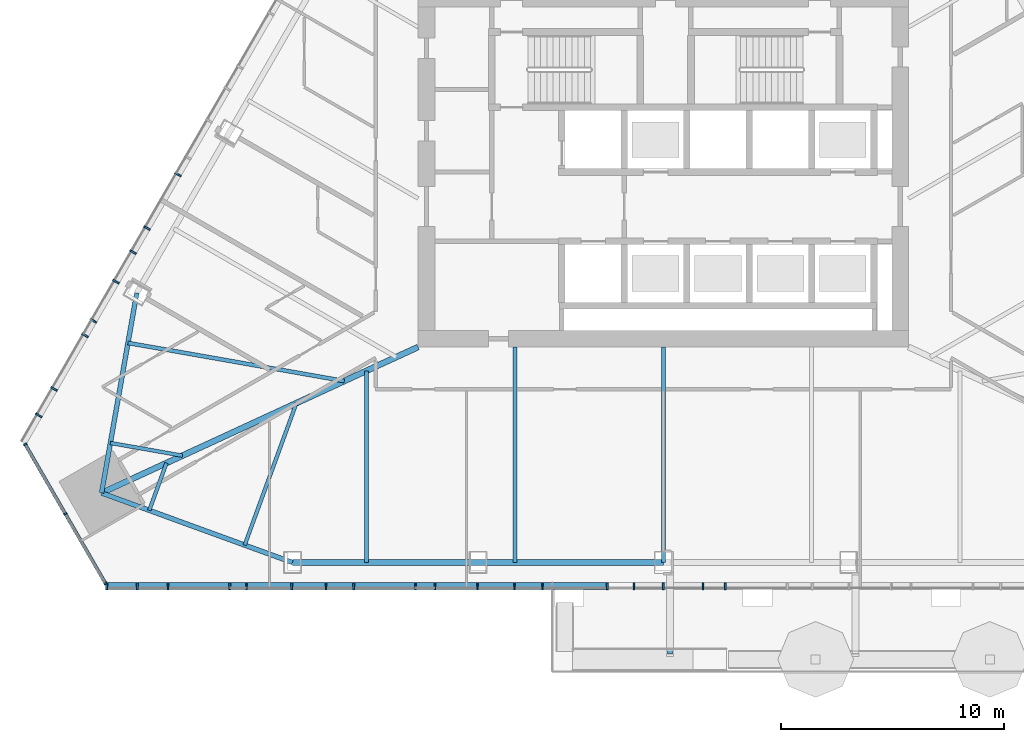
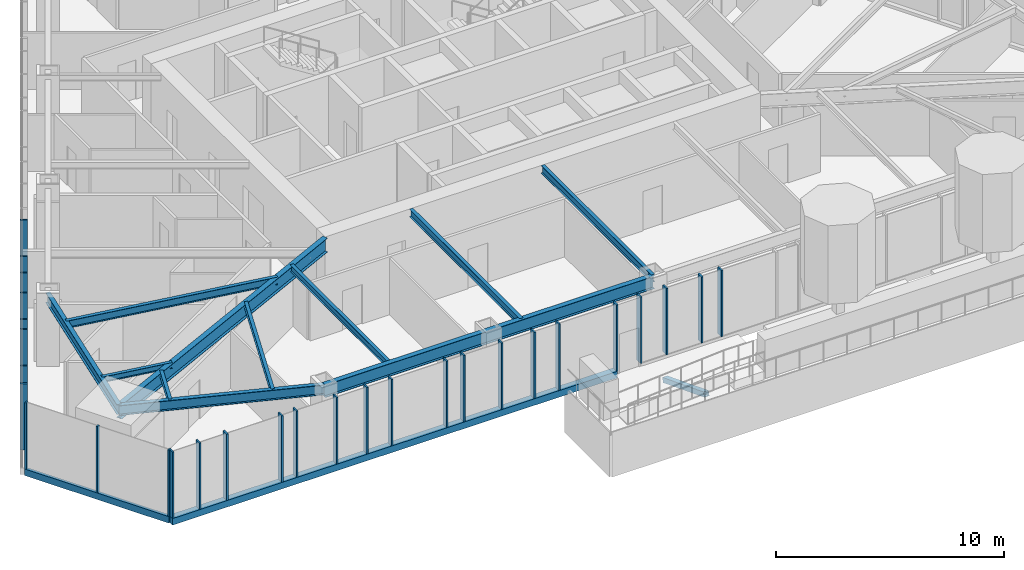
# One storey, part 2 of 18: 32 members, 11 beams, 3 elements without a shape of their own.
"""IFC4 building model written with IfcOpenShell, lengths in metres."""

from ifc_helpers import new_model, si_unit, direction, frame, origin, origin_2d, place, context, subcontext, project, spatial, rectangle, hollow_rectangle, i_section, extrude, material, layer, layer_set, material_profile, profile_set, type_object, element, aggregate, save


model = new_model("IFC4")

# Units and contexts
model_context = context("Model", 3, precision=1e-05, world=origin(), true_north=direction((0.0, 1.0)))
body_context = subcontext(model_context, "Body", "Model", "MODEL_VIEW")
ifc_project = project(units=[si_unit("LENGTHUNIT", "METRE"), si_unit("AREAUNIT", "SQUARE_METRE"), si_unit("VOLUMEUNIT", "CUBIC_METRE"), si_unit("PLANEANGLEUNIT", "RADIAN"), si_unit("MASSUNIT", "GRAM", prefix="KILO")], contexts=[model_context])

# Site, building, storey
site_placement = place(None, origin())
site = spatial("IfcSite", under=ifc_project, at=site_placement, CompositionType="ELEMENT")
building_placement = place(site_placement, origin())
building = spatial("IfcBuilding", under=site, at=building_placement, Name="Firuza Gate Tower and Library", CompositionType="ELEMENT")
storey_placement = place(building_placement, frame((0.0, 0.0, 226.0)))
storey = spatial("IfcBuildingStorey", under=building, at=storey_placement, Name="L53", CompositionType="ELEMENT", Elevation=226.0)

# Curtain wall, members
ifc_material_1 = material(Name="Aluminium 6063-T6", Category="aluminium")
ifc_layer_1 = layer(ifc_material_1, 0.14990234375)
ifc_layer_set_1 = layer_set([ifc_layer_1], Name="Corner curtain wall, chamfers")
curtain_wall_type_1 = type_object("IfcCurtainWallType", Name="Corner curtain wall, chamfers", PredefinedType="NOTDEFINED", material=ifc_layer_set_1)
placement = place(storey_placement, origin())
curtain_wall_1 = element("IfcCurtainWall", 1, at=placement, inside=storey, type_object=curtain_wall_type_1, Name="CW4 L53 SW corner", PredefinedType="NOTDEFINED")
ifc_material_2 = material(Name="Aluminium 6063-T6", Category="aluminium")
ifc_material_profile_1 = material_profile(ifc_material_2, rectangle(XDim=0.14990234375, YDim=0.080078125, at=origin_2d()))
ifc_profile_set_1 = profile_set([ifc_material_profile_1], Name="Aluminium 6063-T6")
member_type_1 = type_object("IfcMemberType", Name="Curtain wall mullion 80x150", PredefinedType="MULLION", material=ifc_profile_set_1)
member_1_placement = place(storey_placement, frame((46.380615234375, 62.63720703125, 0.14990234375), z_axis=(0.0, 0.0, 1.0), x_axis=(0.866025403784, 0.5, 0.0)))
member_1 = element("IfcMember", 2, at=member_1_placement, type_object=member_type_1, Name="Mullion", PredefinedType="MULLION", context=body_context, shape_type="SweptSolid", body=[
    extrude(rectangle(XDim=0.14990234375, YDim=0.080078125, at=origin_2d()), origin(), (0.0, 0.0, 1.0), 3.550048828125),
])
member_2_placement = place(storey_placement, frame((48.182373046875, 59.516845703125, 0.14990234375), z_axis=(0.0, 0.0, 1.0), x_axis=(0.866025403784, 0.5, 0.0)))
member_2 = element("IfcMember", 3, at=member_2_placement, type_object=member_type_1, Name="Mullion", PredefinedType="MULLION", context=body_context, shape_type="SweptSolid", body=[
    extrude(rectangle(XDim=0.14990234375, YDim=0.080078125, at=origin_2d()), origin(), (0.0, 0.0, 1.0), 3.550048828125),
])
member_3_placement = place(storey_placement, frame((49.98388671875, 56.396240234375, 0.14990234375), z_axis=(0.0, 0.0, 1.0), x_axis=(0.866025403784, 0.5, 0.0)))
member_3 = element("IfcMember", 4, at=member_3_placement, type_object=member_type_1, Name="Mullion", PredefinedType="MULLION", context=body_context, shape_type="SweptSolid", body=[
    extrude(rectangle(XDim=0.14990234375, YDim=0.080078125, at=origin_2d()), origin(), (0.0, 0.0, 1.0), 3.550048828125),
])

ifc_material_3 = material(Name="Aluminium 6063-T6", Category="aluminium")
ifc_layer_2 = layer(ifc_material_3, 0.14990234375)
ifc_layer_set_2 = layer_set([ifc_layer_2], Name="Unitised curtain wall, hotel")
curtain_wall_type_2 = type_object("IfcCurtainWallType", Name="Unitised curtain wall, hotel", PredefinedType="NOTDEFINED", material=ifc_layer_set_2)
curtain_wall_2 = element("IfcCurtainWall", 5, at=placement, inside=storey, type_object=curtain_wall_type_2, Name="CW2 L53 S face", PredefinedType="NOTDEFINED")
ifc_material_4 = material(Name="Aluminium 6063-T6", Category="aluminium")
ifc_material_profile_2 = material_profile(ifc_material_4, rectangle(XDim=0.320068359375, YDim=0.080078125, at=origin_2d()))
ifc_profile_set_2 = profile_set([ifc_material_profile_2], Name="Aluminium 6063-T6")
member_type_2 = type_object("IfcMemberType", Name="Curtain wall mullion 80x320", PredefinedType="MULLION", material=ifc_profile_set_2)
member_4_placement = place(storey_placement, frame((50.0439453125, 56.276611328125, 0.14990234375), z_axis=(0.0, 0.0, 1.0), x_axis=(0.0, 1.0, 0.0)))
member_4 = element("IfcMember", 6, at=member_4_placement, type_object=member_type_2, Name="Mullion", PredefinedType="MULLION", context=body_context, shape_type="SweptSolid", body=[
    extrude(rectangle(XDim=0.320068359375, YDim=0.080078125, at=origin_2d()), origin(), (0.0, 0.0, 1.0), 3.550048828125),
])
member_5_placement = place(storey_placement, frame((52.78125, 56.276611328125, 0.14990234375), z_axis=(0.0, 0.0, 1.0), x_axis=(0.0, 1.0, 0.0)))
member_5 = element("IfcMember", 7, at=member_5_placement, type_object=member_type_2, Name="Mullion", PredefinedType="MULLION", context=body_context, shape_type="SweptSolid", body=[
    extrude(rectangle(XDim=0.320068359375, YDim=0.080078125, at=origin_2d()), origin(), (0.0, 0.0, 1.0), 3.550048828125),
])
member_6_placement = place(storey_placement, frame((55.55859375, 56.276611328125, 0.14990234375), z_axis=(0.0, 0.0, 1.0), x_axis=(0.0, 1.0, 0.0)))
member_6 = element("IfcMember", 8, at=member_6_placement, type_object=member_type_2, Name="Mullion", PredefinedType="MULLION", context=body_context, shape_type="SweptSolid", body=[
    extrude(rectangle(XDim=0.320068359375, YDim=0.080078125, at=origin_2d()), origin(), (0.0, 0.0, 1.0), 3.550048828125),
])
member_7_placement = place(storey_placement, frame((58.3359375, 56.276611328125, 0.14990234375), z_axis=(0.0, 0.0, 1.0), x_axis=(0.0, 1.0, 0.0)))
member_7 = element("IfcMember", 9, at=member_7_placement, type_object=member_type_2, Name="Mullion", PredefinedType="MULLION", context=body_context, shape_type="SweptSolid", body=[
    extrude(rectangle(XDim=0.320068359375, YDim=0.080078125, at=origin_2d()), origin(), (0.0, 0.0, 1.0), 3.550048828125),
])
member_8_placement = place(storey_placement, frame((61.11328125, 56.276611328125, 0.14990234375), z_axis=(0.0, 0.0, 1.0), x_axis=(0.0, 1.0, 0.0)))
member_8 = element("IfcMember", 10, at=member_8_placement, type_object=member_type_2, Name="Mullion", PredefinedType="MULLION", context=body_context, shape_type="SweptSolid", body=[
    extrude(rectangle(XDim=0.320068359375, YDim=0.080078125, at=origin_2d()), origin(), (0.0, 0.0, 1.0), 3.550048828125),
])
member_9_placement = place(storey_placement, frame((63.890625, 56.276611328125, 0.14990234375), z_axis=(0.0, 0.0, 1.0), x_axis=(0.0, 1.0, 0.0)))
member_9 = element("IfcMember", 11, at=member_9_placement, type_object=member_type_2, Name="Mullion", PredefinedType="MULLION", context=body_context, shape_type="SweptSolid", body=[
    extrude(rectangle(XDim=0.320068359375, YDim=0.080078125, at=origin_2d()), origin(), (0.0, 0.0, 1.0), 3.550048828125),
])
member_10_placement = place(storey_placement, frame((66.66796875, 56.276611328125, 0.14990234375), z_axis=(0.0, 0.0, 1.0), x_axis=(0.0, 1.0, 0.0)))
member_10 = element("IfcMember", 12, at=member_10_placement, type_object=member_type_2, Name="Mullion", PredefinedType="MULLION", context=body_context, shape_type="SweptSolid", body=[
    extrude(rectangle(XDim=0.320068359375, YDim=0.080078125, at=origin_2d()), origin(), (0.0, 0.0, 1.0), 3.550048828125),
])
member_11_placement = place(storey_placement, frame((69.577880859375, 56.276611328125, 0.14990234375), z_axis=(0.0, 0.0, 1.0), x_axis=(0.0, 1.0, 0.0)))
member_11 = element("IfcMember", 13, at=member_11_placement, type_object=member_type_2, Name="Mullion", PredefinedType="MULLION", context=body_context, shape_type="SweptSolid", body=[
    extrude(rectangle(XDim=0.320068359375, YDim=0.080078125, at=origin_2d()), origin(), (0.0, 0.0, 1.0), 3.550048828125),
])
member_12_placement = place(storey_placement, frame((72.488037109375, 56.276611328125, 0.14990234375), z_axis=(0.0, 0.0, 1.0), x_axis=(0.0, 1.0, 0.0)))
member_12 = element("IfcMember", 14, at=member_12_placement, type_object=member_type_2, Name="Mullion", PredefinedType="MULLION", context=body_context, shape_type="SweptSolid", body=[
    extrude(rectangle(XDim=0.320068359375, YDim=0.080078125, at=origin_2d()), origin(), (0.0, 0.0, 1.0), 3.550048828125),
])
member_13_placement = place(storey_placement, frame((73.68798828125, 56.276611328125, 0.14990234375), z_axis=(0.0, 0.0, 1.0), x_axis=(0.0, 1.0, 0.0)))
member_13 = element("IfcMember", 15, at=member_13_placement, type_object=member_type_2, Name="Mullion", PredefinedType="MULLION", context=body_context, shape_type="SweptSolid", body=[
    extrude(rectangle(XDim=0.320068359375, YDim=0.080078125, at=origin_2d()), origin(), (0.0, 0.0, 1.0), 3.550048828125),
])
member_14_placement = place(storey_placement, frame((75.0, 56.276611328125, 0.14990234375), z_axis=(0.0, 0.0, 1.0), x_axis=(0.0, 1.0, 0.0)))
member_14 = element("IfcMember", 16, at=member_14_placement, type_object=member_type_2, Name="Mullion", PredefinedType="MULLION", context=body_context, shape_type="SweptSolid", body=[
    extrude(rectangle(XDim=0.320068359375, YDim=0.080078125, at=origin_2d()), origin(), (0.0, 0.0, 1.0), 3.550048828125),
])
member_15_placement = place(storey_placement, frame((77.77734375, 56.276611328125, 0.14990234375), z_axis=(0.0, 0.0, 1.0), x_axis=(0.0, 1.0, 0.0)))
member_15 = element("IfcMember", 17, at=member_15_placement, type_object=member_type_2, Name="Mullion", PredefinedType="MULLION", context=body_context, shape_type="SweptSolid", body=[
    extrude(rectangle(XDim=0.320068359375, YDim=0.080078125, at=origin_2d()), origin(), (0.0, 0.0, 1.0), 3.550048828125),
])
member_16_placement = place(storey_placement, frame((51.412109375, 56.276611328125, 0.14990234375), z_axis=(0.0, 0.0, 1.0), x_axis=(0.0, 1.0, 0.0)))
member_16 = element("IfcMember", 18, at=member_16_placement, type_object=member_type_2, Name="Mullion", PredefinedType="MULLION", context=body_context, shape_type="SweptSolid", body=[
    extrude(rectangle(XDim=0.320068359375, YDim=0.080078125, at=origin_2d()), origin(), (0.0, 0.0, 1.0), 3.550048828125),
])
member_17_placement = place(storey_placement, frame((56.3095703125, 56.276611328125, 0.14990234375), z_axis=(0.0, 0.0, 1.0), x_axis=(0.0, 1.0, 0.0)))
member_17 = element("IfcMember", 19, at=member_17_placement, type_object=member_type_2, Name="Mullion", PredefinedType="MULLION", context=body_context, shape_type="SweptSolid", body=[
    extrude(rectangle(XDim=0.320068359375, YDim=0.080078125, at=origin_2d()), origin(), (0.0, 0.0, 1.0), 3.550048828125),
])
member_18_placement = place(storey_placement, frame((59.867919921875, 56.276611328125, 0.14990234375), z_axis=(0.0, 0.0, 1.0), x_axis=(0.0, 1.0, 0.0)))
member_18 = element("IfcMember", 20, at=member_18_placement, type_object=member_type_2, Name="Mullion", PredefinedType="MULLION", context=body_context, shape_type="SweptSolid", body=[
    extrude(rectangle(XDim=0.320068359375, YDim=0.080078125, at=origin_2d()), origin(), (0.0, 0.0, 1.0), 3.550048828125),
])
member_19_placement = place(storey_placement, frame((64.76513671875, 56.276611328125, 0.14990234375), z_axis=(0.0, 0.0, 1.0), x_axis=(0.0, 1.0, 0.0)))
member_19 = element("IfcMember", 21, at=member_19_placement, type_object=member_type_2, Name="Mullion", PredefinedType="MULLION", context=body_context, shape_type="SweptSolid", body=[
    extrude(rectangle(XDim=0.320068359375, YDim=0.080078125, at=origin_2d()), origin(), (0.0, 0.0, 1.0), 3.550048828125),
])
member_20_placement = place(storey_placement, frame((68.323486328125, 56.276611328125, 0.14990234375), z_axis=(0.0, 0.0, 1.0), x_axis=(0.0, 1.0, 0.0)))
member_20 = element("IfcMember", 22, at=member_20_placement, type_object=member_type_2, Name="Mullion", PredefinedType="MULLION", context=body_context, shape_type="SweptSolid", body=[
    extrude(rectangle(XDim=0.320068359375, YDim=0.080078125, at=origin_2d()), origin(), (0.0, 0.0, 1.0), 3.550048828125),
])
member_21_placement = place(storey_placement, frame((76.779296875, 56.276611328125, 0.14990234375), z_axis=(0.0, 0.0, 1.0), x_axis=(0.0, 1.0, 0.0)))
member_21 = element("IfcMember", 23, at=member_21_placement, type_object=member_type_2, Name="Mullion", PredefinedType="MULLION", context=body_context, shape_type="SweptSolid", body=[
    extrude(rectangle(XDim=0.320068359375, YDim=0.080078125, at=origin_2d()), origin(), (0.0, 0.0, 1.0), 3.550048828125),
])

curtain_wall_3 = element("IfcCurtainWall", 24, at=placement, inside=storey, type_object=curtain_wall_type_2, Name="CW2 L53 W face", PredefinedType="NOTDEFINED")
member_22_placement = place(storey_placement, frame((53.23046875, 74.74072265625, 0.14990234375), z_axis=(0.0, 0.0, 1.0), x_axis=(0.866025403784, -0.5, 0.0)))
member_22 = element("IfcMember", 25, at=member_22_placement, type_object=member_type_2, Name="Mullion", PredefinedType="MULLION", context=body_context, shape_type="SweptSolid", body=[
    extrude(rectangle(XDim=0.320068359375, YDim=0.080078125, at=origin_2d()), origin(), (0.0, 0.0, 1.0), 3.550048828125),
])
member_23_placement = place(storey_placement, frame((51.841796875, 72.33544921875, 0.14990234375), z_axis=(0.0, 0.0, 1.0), x_axis=(0.866025403784, -0.5, 0.0)))
member_23 = element("IfcMember", 26, at=member_23_placement, type_object=member_type_2, Name="Mullion", PredefinedType="MULLION", context=body_context, shape_type="SweptSolid", body=[
    extrude(rectangle(XDim=0.320068359375, YDim=0.080078125, at=origin_2d()), origin(), (0.0, 0.0, 1.0), 3.550048828125),
])
member_24_placement = place(storey_placement, frame((50.453125, 69.93017578125, 0.14990234375), z_axis=(0.0, 0.0, 1.0), x_axis=(0.866025403784, -0.5, 0.0)))
member_24 = element("IfcMember", 27, at=member_24_placement, type_object=member_type_2, Name="Mullion", PredefinedType="MULLION", context=body_context, shape_type="SweptSolid", body=[
    extrude(rectangle(XDim=0.320068359375, YDim=0.080078125, at=origin_2d()), origin(), (0.0, 0.0, 1.0), 3.550048828125),
])
member_25_placement = place(storey_placement, frame((49.064453125, 67.52490234375, 0.14990234375), z_axis=(0.0, 0.0, 1.0), x_axis=(0.866025403784, -0.5, 0.0)))
member_25 = element("IfcMember", 28, at=member_25_placement, type_object=member_type_2, Name="Mullion", PredefinedType="MULLION", context=body_context, shape_type="SweptSolid", body=[
    extrude(rectangle(XDim=0.320068359375, YDim=0.080078125, at=origin_2d()), origin(), (0.0, 0.0, 1.0), 3.550048828125),
])
member_26_placement = place(storey_placement, frame((47.67578125, 65.11962890625, 0.14990234375), z_axis=(0.0, 0.0, 1.0), x_axis=(0.866025403784, -0.5, 0.0)))
member_26 = element("IfcMember", 29, at=member_26_placement, type_object=member_type_2, Name="Mullion", PredefinedType="MULLION", context=body_context, shape_type="SweptSolid", body=[
    extrude(rectangle(XDim=0.320068359375, YDim=0.080078125, at=origin_2d()), origin(), (0.0, 0.0, 1.0), 3.550048828125),
])
member_27_placement = place(storey_placement, frame((51.218994140625, 71.2568359375, 0.14990234375), z_axis=(0.0, 0.0, 1.0), x_axis=(0.866025403784, -0.5, 0.0)))
member_27 = element("IfcMember", 30, at=member_27_placement, type_object=member_type_2, Name="Mullion", PredefinedType="MULLION", context=body_context, shape_type="SweptSolid", body=[
    extrude(rectangle(XDim=0.320068359375, YDim=0.080078125, at=origin_2d()), origin(), (0.0, 0.0, 1.0), 3.550048828125),
])
member_28_placement = place(storey_placement, frame((49.439697265625, 68.17529296875, 0.14990234375), z_axis=(0.0, 0.0, 1.0), x_axis=(0.866025403784, -0.5, 0.0)))
member_28 = element("IfcMember", 31, at=member_28_placement, type_object=member_type_2, Name="Mullion", PredefinedType="MULLION", context=body_context, shape_type="SweptSolid", body=[
    extrude(rectangle(XDim=0.320068359375, YDim=0.080078125, at=origin_2d()), origin(), (0.0, 0.0, 1.0), 3.550048828125),
])
member_29_placement = place(storey_placement, frame((46.9912109375, 63.93408203125, 0.14990234375), z_axis=(0.0, 0.0, 1.0), x_axis=(0.866025403784, -0.5, 0.0)))
member_29 = element("IfcMember", 32, at=member_29_placement, type_object=member_type_2, Name="Mullion", PredefinedType="MULLION", context=body_context, shape_type="SweptSolid", body=[
    extrude(rectangle(XDim=0.320068359375, YDim=0.080078125, at=origin_2d()), origin(), (0.0, 0.0, 1.0), 3.550048828125),
])
aggregate(curtain_wall_3, [member_22, member_23, member_24, member_25, member_26, member_27, member_28, member_29])

# Member
ifc_material_5 = material(Name="Aluminium 6063-T6", Category="aluminium")
ifc_material_profile_3 = material_profile(ifc_material_5, rectangle(XDim=0.14990234375, YDim=0.35009765625, at=origin_2d()))
ifc_profile_set_3 = profile_set([ifc_material_profile_3], Name="Aluminium 6063-T6")
member_type_3 = type_object("IfcMemberType", Name="Curtain wall transom 350x150", PredefinedType="USERDEFINED", material=ifc_profile_set_3)
member_30_placement = place(storey_placement, frame((46.360595703125, 62.671875, -0.02490234375), z_axis=(0.500005719219, -0.866022101766, 0.0), x_axis=(0.866022101766, 0.500005719219, 0.0)))
member_30 = element("IfcMember", 33, at=member_30_placement, type_object=member_type_3, Name="Transom", ObjectType="TRANSOM", PredefinedType="USERDEFINED", context=body_context, shape_type="SweptSolid", body=[
    extrude(rectangle(XDim=0.14990234375, YDim=0.35009765625, at=origin_2d()), origin(), (0.0, 0.0, 1.0), 7.28662109375),
])

aggregate(curtain_wall_1, [member_1, member_2, member_3, member_30])

ifc_material_6 = material(Name="Aluminium 6063-T6", Category="aluminium")
ifc_material_profile_4 = material_profile(ifc_material_6, rectangle(XDim=0.320068359375, YDim=0.35009765625, at=origin_2d()))
ifc_profile_set_4 = profile_set([ifc_material_profile_4], Name="Aluminium 6063-T6")
member_type_4 = type_object("IfcMemberType", Name="Curtain wall transom 350x320", PredefinedType="USERDEFINED", material=ifc_profile_set_4)
member_31_placement = place(storey_placement, frame((50.00390625, 56.276611328125, -0.02490234375), z_axis=(1.0, 0.0, 0.0), x_axis=(0.0, 1.0, 0.0)))
member_31 = element("IfcMember", 34, at=member_31_placement, type_object=member_type_4, Name="Transom", ObjectType="TRANSOM", PredefinedType="USERDEFINED", context=body_context, shape_type="SweptSolid", body=[
    extrude(rectangle(XDim=0.320068359375, YDim=0.35009765625, at=origin_2d()), origin(), (0.0, 0.0, 1.0), 22.484130859375),
])

aggregate(curtain_wall_2, [member_4, member_5, member_6, member_7, member_8, member_9, member_10, member_11, member_12, member_13, member_14, member_15, member_31, member_16, member_17, member_18, member_19, member_20, member_21])

ifc_material_7 = material(Name="Steel S355", Category="steel")
ifc_material_profile_5 = material_profile(ifc_material_7, hollow_rectangle(XDim=0.25390625, YDim=0.25390625, WallThickness=0.01171875, at=origin_2d()))
ifc_profile_set_5 = profile_set([ifc_material_profile_5], Name="Steel S355")
member_type_5 = type_object("IfcMemberType", Name="HSS254x254x13 Tray strut", PredefinedType="BRACE", material=ifc_profile_set_5)
member_32_placement = place(storey_placement, frame((75.300048828125, 56.801513671875, -1.669921875), z_axis=(0.0, -0.932008230148, 0.36243711032), x_axis=(1.0, 0.0, 0.0)))
element("IfcMember", 35, at=member_32_placement, inside=storey, type_object=member_type_5, Name="Tray strut L53 col:L52:S3", PredefinedType="BRACE", context=body_context, shape_type="SweptSolid", body=[
    extrude(hollow_rectangle(XDim=0.25390625, YDim=0.25390625, WallThickness=0.01171875, at=origin_2d()), origin(), (0.0, 0.0, 1.0), 3.862548828125),
])

# Beams
ifc_material_8 = material(Name="Steel S355", Category="steel")
ifc_material_profile_6 = material_profile(ifc_material_8, i_section(OverallWidth=0.1650390625, OverallDepth=0.31005859375, WebThickness=0.005859375, FlangeThickness=0.009765625, at=origin_2d()))
ifc_profile_set_6 = profile_set([ifc_material_profile_6], Name="Steel S355")
beam_type_1 = type_object("IfcBeamType", Name="W310x39 Floor beam", PredefinedType="JOIST", material=ifc_profile_set_6)
beam_1_placement = place(storey_placement, frame((50.200927734375, 62.697021484375, 3.544921875), z_axis=(0.984853837144, -0.173386618467, 0.0), x_axis=(0.173386618467, 0.984853837144, 0.0)))
element("IfcBeam", 36, at=beam_1_placement, inside=storey, type_object=beam_type_1, Name="Floor beam L53 s01", PredefinedType="JOIST", context=body_context, shape_type="SweptSolid", body=[
    extrude(i_section(OverallWidth=0.1650390625, OverallDepth=0.31005859375, WebThickness=0.005859375, FlangeThickness=0.009765625, at=origin_2d()), origin(), (0.0, 0.0, 1.0), 3.28369140625),
])
beam_2_placement = place(storey_placement, frame((51.94580078125, 59.6748046875, 3.544921875), z_axis=(0.342237584448, 0.939613450197, 0.0), x_axis=(-0.939613450197, 0.342237584448, 0.0)))
element("IfcBeam", 37, at=beam_2_placement, inside=storey, type_object=beam_type_1, Name="Floor beam L53 s10", PredefinedType="JOIST", context=body_context, shape_type="SweptSolid", body=[
    extrude(i_section(OverallWidth=0.1650390625, OverallDepth=0.31005859375, WebThickness=0.005859375, FlangeThickness=0.009765625, at=origin_2d()), origin(), (0.0, 0.0, 1.0), 2.25927734375),
])
beam_3_placement = place(storey_placement, frame((56.22509765625, 58.115966796875, 3.544921875), z_axis=(0.342269386036, 0.939601866422, 0.0), x_axis=(-0.939601866422, 0.342269386036, 0.0)))
element("IfcBeam", 38, at=beam_3_placement, inside=storey, type_object=beam_type_1, Name="Floor beam L53 s11", PredefinedType="JOIST", context=body_context, shape_type="SweptSolid", body=[
    extrude(i_section(OverallWidth=0.1650390625, OverallDepth=0.31005859375, WebThickness=0.005859375, FlangeThickness=0.009765625, at=origin_2d()), origin(), (0.0, 0.0, 1.0), 6.77783203125),
])
ifc_material_9 = material(Name="Steel S355", Category="steel")
ifc_material_profile_7 = material_profile(ifc_material_9, i_section(OverallWidth=0.1708984375, OverallDepth=0.35498046875, WebThickness=0.007080078125, FlangeThickness=0.01171875, at=origin_2d()))
ifc_profile_set_7 = profile_set([ifc_material_profile_7], Name="Steel S355")
beam_type_2 = type_object("IfcBeamType", Name="W360x51 Floor beam", PredefinedType="JOIST", material=ifc_profile_set_7)
beam_4_placement = place(storey_placement, frame((61.69189453125, 57.336669921875, 3.5224609375), z_axis=(0.0, 1.0, 0.0), x_axis=(-1.0, 0.0, 0.0)))
element("IfcBeam", 39, at=beam_4_placement, inside=storey, type_object=beam_type_2, Name="Floor beam L53 s20", PredefinedType="JOIST", context=body_context, shape_type="SweptSolid", body=[
    extrude(i_section(OverallWidth=0.1708984375, OverallDepth=0.35498046875, WebThickness=0.007080078125, FlangeThickness=0.01171875, at=origin_2d()), origin(), (0.0, 0.0, 1.0), 8.598876953125),
])
ifc_material_10 = material(Name="Steel S355", Category="steel")
ifc_material_profile_8 = material_profile(ifc_material_10, i_section(OverallWidth=0.177978515625, OverallDepth=0.406982421875, WebThickness=0.0078125, FlangeThickness=0.0126953125, at=origin_2d()))
ifc_profile_set_8 = profile_set([ifc_material_profile_8], Name="Steel S355")
beam_type_3 = type_object("IfcBeamType", Name="W410x60 Floor beam", PredefinedType="JOIST", material=ifc_profile_set_8)
beam_5_placement = place(storey_placement, frame((50.990478515625, 67.182373046875, 3.49658203125), z_axis=(0.984858068941, -0.173362579703, 0.0), x_axis=(0.173362579703, 0.984858068941, 0.0)))
element("IfcBeam", 40, at=beam_5_placement, inside=storey, type_object=beam_type_3, Name="Floor beam L53 s00", PredefinedType="JOIST", context=body_context, shape_type="SweptSolid", body=[
    extrude(i_section(OverallWidth=0.177978515625, OverallDepth=0.406982421875, WebThickness=0.0078125, FlangeThickness=0.0126953125, at=origin_2d()), origin(), (0.0, 0.0, 1.0), 9.850830078125),
])
for number, where, z_axis, x_axis, name in (
    (41, (68.345947265625, 57.336669921875, 3.49658203125), (0.0, 1.0, 0.0), (-1.0, 0.0, 0.0), "Floor beam L53 s21"),
    (42, (75.0, 57.336669921875, 3.49658203125), (0.0, 1.0, 0.0), (-1.0, 0.0, 0.0), "Floor beam L53 s22"),
):
    element("IfcBeam", number, at=place(storey_placement, frame(where, z_axis=z_axis, x_axis=x_axis)), inside=storey, type_object=beam_type_3, Name=name, PredefinedType="JOIST", context=body_context, shape_type="SweptSolid", body=[
        extrude(i_section(OverallWidth=0.177978515625, OverallDepth=0.406982421875, WebThickness=0.0078125, FlangeThickness=0.0126953125, at=origin_2d()), origin(), (0.0, 0.0, 1.0), 9.663330078125),
    ])
ifc_material_11 = material(Name="Steel S355", Category="steel")
ifc_material_profile_9 = material_profile(ifc_material_11, i_section(OverallWidth=0.212890625, OverallDepth=0.5390625, WebThickness=0.01171875, FlangeThickness=0.018798828125, at=origin_2d()))
ifc_profile_set_9 = profile_set([ifc_material_profile_9], Name="Steel S355")
beam_type_4 = type_object("IfcBeamType", Name="W530x109 Edge beam", PredefinedType="SPANDREL", material=ifc_profile_set_9)
beam_6_placement = place(storey_placement, frame((51.385498046875, 69.42529296875, 3.430419921875), z_axis=(-0.173384722592, -0.984854170916, 0.0), x_axis=(0.984854170916, -0.173384722592, 0.0)))
element("IfcBeam", 43, at=beam_6_placement, inside=storey, type_object=beam_type_4, Name="Edge beam L53 e00", PredefinedType="SPANDREL", context=body_context, shape_type="SweptSolid", body=[
    extrude(i_section(OverallWidth=0.212890625, OverallDepth=0.5390625, WebThickness=0.01171875, FlangeThickness=0.018798828125, at=origin_2d()), origin(), (0.0, 0.0, 1.0), 9.10888671875),
])
beam_7_placement = place(storey_placement, frame((49.80615234375, 60.454345703125, 3.430419921875), z_axis=(0.939600763384, -0.342272414092, 0.0), x_axis=(0.342272414092, 0.939600763384, 0.0)))
element("IfcBeam", 44, at=beam_7_placement, inside=storey, type_object=beam_type_4, Name="Edge beam L53 e10", PredefinedType="SPANDREL", context=body_context, shape_type="SweptSolid", body=[
    extrude(i_section(OverallWidth=0.212890625, OverallDepth=0.5390625, WebThickness=0.01171875, FlangeThickness=0.018798828125, at=origin_2d()), origin(), (0.0, 0.0, 1.0), 9.108642578125),
])
ifc_material_12 = material(Name="Steel S355", Category="steel")
ifc_material_profile_10 = material_profile(ifc_material_12, i_section(OverallWidth=0.2529296875, OverallDepth=0.677978515625, WebThickness=0.01171875, FlangeThickness=0.016357421875, at=origin_2d()))
ifc_profile_set_10 = profile_set([ifc_material_profile_10], Name="Steel S355")
beam_type_5 = type_object("IfcBeamType", Name="W690x125 Edge beam", PredefinedType="SPANDREL", material=ifc_profile_set_10)
beam_8_placement = place(storey_placement, frame((58.36474609375, 57.336669921875, 3.361083984375), z_axis=(1.0, 0.0, 0.0), x_axis=(0.0, 1.0, 0.0)))
element("IfcBeam", 45, at=beam_8_placement, inside=storey, type_object=beam_type_5, Name="Edge beam L53 e20", PredefinedType="SPANDREL", context=body_context, shape_type="SweptSolid", body=[
    extrude(i_section(OverallWidth=0.2529296875, OverallDepth=0.677978515625, WebThickness=0.01171875, FlangeThickness=0.016357421875, at=origin_2d()), origin(), (0.0, 0.0, 1.0), 16.63525390625),
])
ifc_material_13 = material(Name="Steel S355", Category="steel")
ifc_material_profile_11 = material_profile(ifc_material_13, i_section(OverallWidth=0.264892578125, OverallDepth=0.7529296875, WebThickness=0.01318359375, FlangeThickness=0.01708984375, at=origin_2d()))
ifc_profile_set_11 = profile_set([ifc_material_profile_11], Name="Steel S355")
beam_type_6 = type_object("IfcBeamType", Name="W760x147 Girder", PredefinedType="BEAM", material=ifc_profile_set_11)
beam_9_placement = place(storey_placement, frame((49.80615234375, 60.454345703125, 3.323486328125), z_axis=(0.908089630554, 0.418775862341, 0.0), x_axis=(-0.418775862341, 0.908089630554, 0.0)))
element("IfcBeam", 46, at=beam_9_placement, inside=storey, type_object=beam_type_6, Name="Girder L53 gSW", PredefinedType="BEAM", context=body_context, shape_type="SweptSolid", body=[
    extrude(i_section(OverallWidth=0.264892578125, OverallDepth=0.7529296875, WebThickness=0.01318359375, FlangeThickness=0.01708984375, at=origin_2d()), origin(), (0.0, 0.0, 1.0), 15.63037109375),
])

save(model, "model.ifc")
